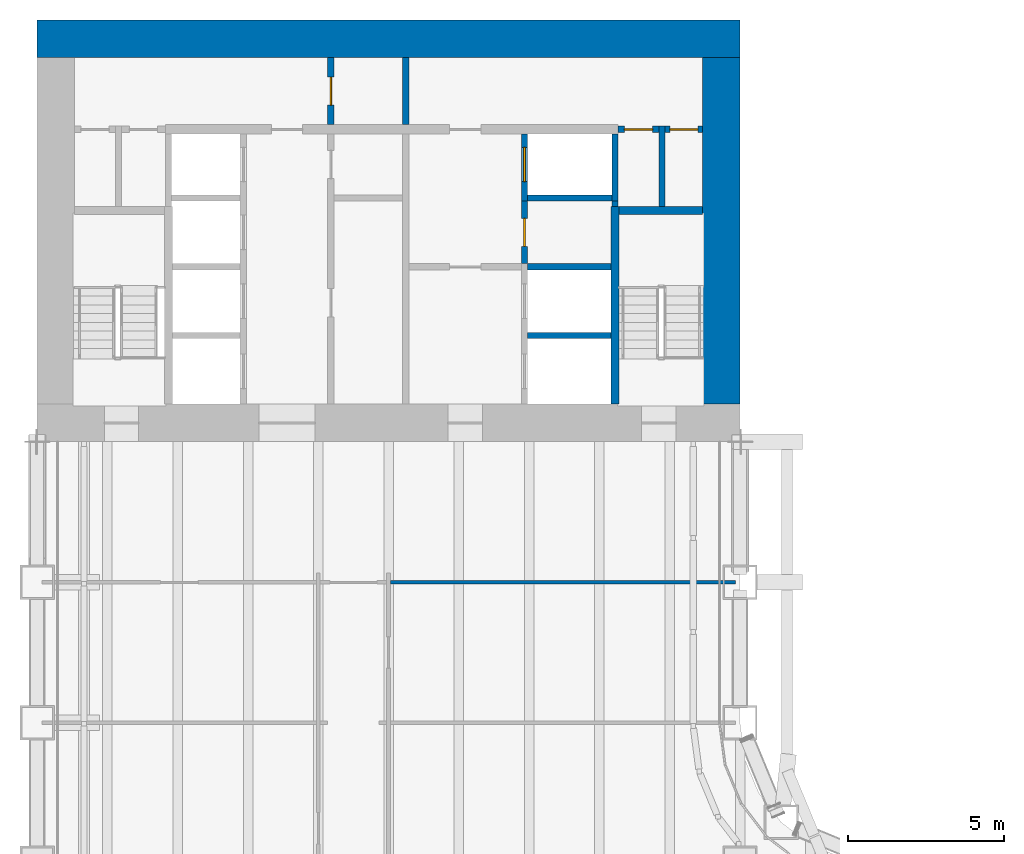
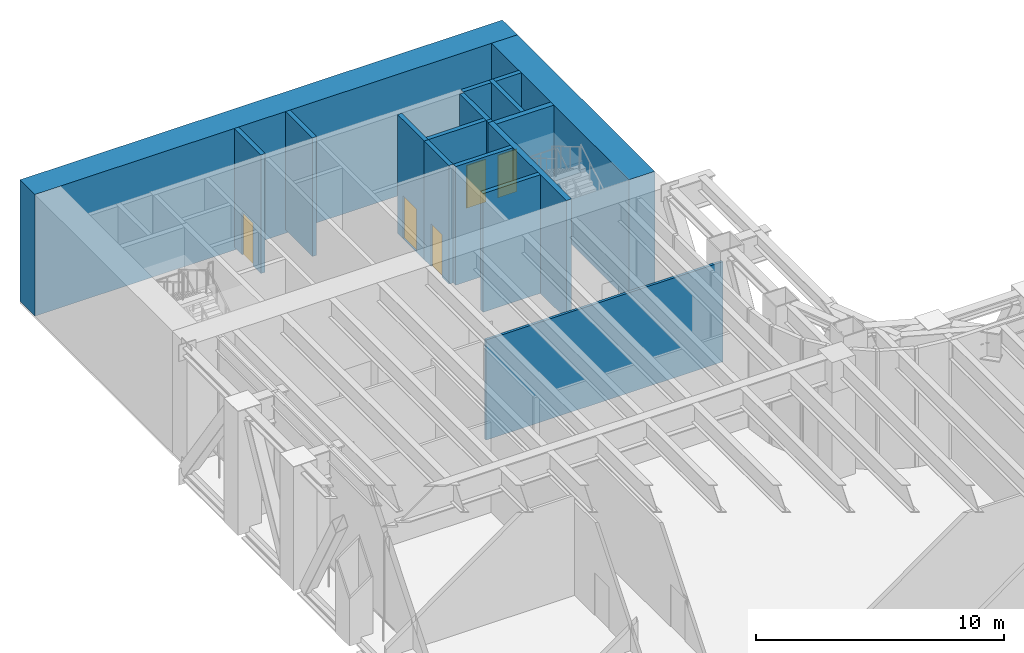
# One storey, part 11 of 19: 17 walls, 5 doors, 5 openings.
"""IFC4 building model written with IfcOpenShell, lengths in metres."""

from ifc_helpers import new_model, si_unit, direction, frame, frame_2d, origin, place, context, subcontext, project, spatial, rectangle, extrude, material, layer, layer_set, type_object, element, fill, save


model = new_model("IFC4")

# Units and contexts
model_context = context("Model", 3, precision=1e-05, world=origin(), true_north=direction((0.0, 1.0)))
body_context = subcontext(model_context, "Body", "Model", "MODEL_VIEW")
ifc_project = project(units=[si_unit("LENGTHUNIT", "METRE"), si_unit("AREAUNIT", "SQUARE_METRE"), si_unit("VOLUMEUNIT", "CUBIC_METRE"), si_unit("PLANEANGLEUNIT", "RADIAN"), si_unit("MASSUNIT", "GRAM", prefix="KILO")], contexts=[model_context])

# Site, building, storey
site_placement = place(None, origin())
site = spatial("IfcSite", under=ifc_project, at=site_placement, CompositionType="ELEMENT")
building_placement = place(site_placement, origin())
building = spatial("IfcBuilding", under=site, at=building_placement, Name="Sennacour Bend Tower", CompositionType="ELEMENT")
storey_placement = place(building_placement, frame((0.0, 0.0, 77.0)))
storey = spatial("IfcBuildingStorey", under=building, at=storey_placement, Name="L17", CompositionType="ELEMENT", Elevation=77.0)

# Walls
ifc_material_1 = material(Name="Concrete C80/95", Category="concrete")
ifc_layer_1 = layer(ifc_material_1, 1.199951171875, Name="Concrete C80/95", Category="concrete")
ifc_layer_set_1 = layer_set([ifc_layer_1], Name="Concrete C80/95")
wall_type_1 = type_object("IfcWallType", Name="Core wall 1200 C80/95", PredefinedType="SHEAR", material=ifc_layer_set_1)
wall_1_placement = place(storey_placement, frame((0.0, 48.89990234375, -0.14990234375), z_axis=(0.0, 0.0, 1.0), x_axis=(1.0, 0.0, 0.0)))
element("IfcWall", 1, at=wall_1_placement, inside=storey, type_object=wall_type_1, Name="Core B wall L17 N", PredefinedType="SHEAR", context=body_context, shape_type="SweptSolid", body=[
    extrude(rectangle(XDim=22.5, YDim=1.199951171875, at=frame_2d((11.25, 0.0))), origin(), (0.0, 0.0, 1.0), 6.0),
])
wall_2_placement = place(storey_placement, frame((21.89990234375, 37.199951171875, -0.14990234375), z_axis=(0.0, 0.0, 1.0), x_axis=(0.0, 1.0, 0.0)))
element("IfcWall", 2, at=wall_2_placement, inside=storey, type_object=wall_type_1, Name="Core B wall L17 E", PredefinedType="SHEAR", context=body_context, shape_type="SweptSolid", body=[
    extrude(rectangle(XDim=11.10009765625, YDim=1.199951171875, at=frame_2d((5.550048828125, 0.0))), origin(), (0.0, 0.0, 1.0), 6.0),
])
ifc_material_2 = material(Name="Plasterboard partition on steel studs", Category="steel")
ifc_layer_2 = layer(ifc_material_2, 0.1201171875, Name="Plasterboard partition on steel studs", Category="steel")
ifc_layer_set_2 = layer_set([ifc_layer_2], Name="Plasterboard partition on steel studs")
wall_type_2 = type_object("IfcWallType", Name="Partition 120", PredefinedType="PARTITIONING", material=ifc_layer_set_2)
wall_3_placement = place(storey_placement, frame((11.31005859375, 31.5, 0.0), z_axis=(0.0, 0.0, 1.0), x_axis=(1.0, 0.0, 0.0)))
element("IfcWall", 3, at=wall_3_placement, inside=storey, type_object=wall_type_2, Name="P-L17-W068ac", PredefinedType="PARTITIONING", context=body_context, shape_type="SweptSolid", body=[
    extrude(rectangle(XDim=11.0400390625, YDim=0.1201171875, at=frame_2d((5.52001953125, 0.0))), origin(), (0.0, 0.0, 1.0), 4.93798828125),
])

# Wall, opening, door
ifc_material_3 = material(Name="Fire-rated plasterboard partition on steel studs", Category="steel")
ifc_layer_3 = layer(ifc_material_3, 0.199951171875, Name="Fire-rated plasterboard partition on steel studs", Category="steel")
ifc_layer_set_3 = layer_set([ifc_layer_3], Name="Fire-rated plasterboard partition on steel studs")
wall_type_3 = type_object("IfcWallType", Name="Rated partition 200", PredefinedType="PARTITIONING", material=ifc_layer_set_3)
wall_4_placement = place(storey_placement, frame((9.39990234375, 46.14990234375, 0.0), z_axis=(0.0, 0.0, 1.0), x_axis=(0.0, 1.0, 0.0)))
wall_4 = element("IfcWall", 4, at=wall_4_placement, inside=storey, type_object=wall_type_3, Name="P-L17-W011b", PredefinedType="PARTITIONING", context=body_context, shape_type="SweptSolid", body=[
    extrude(rectangle(XDim=2.150146484375, YDim=0.199951171875, at=frame_2d((1.0751953125, 0.0))), origin(), (0.0, 0.0, 1.0), 5.85009765625),
])
opening_1_placement = place(wall_4_placement, frame((0.625, 0.0, 0.0)))
opening_1 = element("IfcOpeningElement", 5, at=opening_1_placement, cuts=wall_4, Name="Opening SV", PredefinedType="OPENING", context=body_context, shape_type="SweptSolid", body=[
    extrude(rectangle(XDim=0.89990234375, YDim=2.10009765625, at=frame_2d((0.449951171875, 1.050048828125))), frame((0.0, 0.10986328125, 0.0), z_axis=(0.0, -1.0, 0.0), x_axis=(1.0, 0.0, 0.0)), (0.0, 0.0, 1.0), 0.219970703125),
])
ifc_material_4 = material(Name="Painted steel", Category="steel")
door_type_1 = type_object("IfcDoorType", Name="DR-SERVICE-900", OperationType="NOTDEFINED", PredefinedType="DOOR", material=ifc_material_4)
door_1_placement = place(opening_1_placement, origin())
door_1 = element("IfcDoor", 6, at=door_1_placement, inside=storey, type_object=door_type_1, Name="Door", OperationType="SINGLE_SWING_LEFT", OverallHeight=2.10009765625, OverallWidth=0.89990234375, PredefinedType="DOOR", context=body_context, shape_type="SweptSolid", body=[
    extrude(rectangle(XDim=0.89990234375, YDim=2.10009765625, at=frame_2d((0.449951171875, 1.050048828125))), frame((0.0, 0.02490234375, 0.0), z_axis=(0.0, -1.0, 0.0), x_axis=(1.0, 0.0, 0.0)), (0.0, 0.0, 1.0), 0.050048828125),
])
fill(opening_1, door_1)

# Wall
wall_5_placement = place(storey_placement, frame((11.800048828125, 46.14990234375, 0.0), z_axis=(0.0, 0.0, 1.0), x_axis=(0.0, 1.0, 0.0)))
element("IfcWall", 7, at=wall_5_placement, inside=storey, type_object=wall_type_3, Name="P-L17-W013b", PredefinedType="PARTITIONING", context=body_context, shape_type="SweptSolid", body=[
    extrude(rectangle(XDim=2.150146484375, YDim=0.199951171875, at=frame_2d((1.0751953125, 0.0))), origin(), (0.0, 0.0, 1.0), 5.85009765625),
])

# Wall, opening, door
wall_6_placement = place(storey_placement, frame((15.60009765625, 41.699951171875, 0.0), z_axis=(0.0, 0.0, 1.0), x_axis=(0.0, 1.0, 0.0)))
wall_6 = element("IfcWall", 8, at=wall_6_placement, inside=storey, type_object=wall_type_3, Name="P-L17-W015", PredefinedType="PARTITIONING", context=body_context, shape_type="SweptSolid", body=[
    extrude(rectangle(XDim=2.0, YDim=0.199951171875, at=frame_2d((1.0, 0.0))), origin(), (0.0, 0.0, 1.0), 5.85009765625),
])
opening_2_placement = place(wall_6_placement, frame((0.550048828125, 0.0, 0.0)))
opening_2 = element("IfcOpeningElement", 9, at=opening_2_placement, cuts=wall_6, Name="Opening SV", PredefinedType="OPENING", context=body_context, shape_type="SweptSolid", body=[
    extrude(rectangle(XDim=0.89990234375, YDim=2.10009765625, at=frame_2d((0.449951171875, 1.050048828125))), frame((0.0, 0.10986328125, 0.0), z_axis=(0.0, -1.0, 0.0), x_axis=(1.0, 0.0, 0.0)), (0.0, 0.0, 1.0), 0.219970703125),
])
door_2_placement = place(opening_2_placement, origin())
door_2 = element("IfcDoor", 10, at=door_2_placement, inside=storey, type_object=door_type_1, Name="Door", OperationType="SINGLE_SWING_RIGHT", OverallHeight=2.10009765625, OverallWidth=0.89990234375, PredefinedType="DOOR", context=body_context, shape_type="SweptSolid", body=[
    extrude(rectangle(XDim=0.89990234375, YDim=2.10009765625, at=frame_2d((0.449951171875, 1.050048828125))), frame((0.0, 0.02490234375, 0.0), z_axis=(0.0, -1.0, 0.0), x_axis=(1.0, 0.0, 0.0)), (0.0, 0.0, 1.0), 0.050048828125),
])
fill(opening_2, door_2)

# Walls
wall_7_placement = place(storey_placement, frame((18.5, 43.52490234375, 0.0), z_axis=(0.0, 0.0, 1.0), x_axis=(0.0, 1.0, 0.0)))
element("IfcWall", 11, at=wall_7_placement, inside=storey, type_object=wall_type_3, Name="P-L17-W018", PredefinedType="PARTITIONING", context=body_context, shape_type="SweptSolid", body=[
    extrude(rectangle(XDim=0.175048828125, YDim=0.199951171875, at=frame_2d((0.08740234375, 0.0))), origin(), (0.0, 0.0, 1.0), 5.85009765625),
])
wall_8_placement = place(storey_placement, frame((20.0, 43.52490234375, 0.0), z_axis=(0.0, 0.0, 1.0), x_axis=(0.0, 1.0, 0.0)))
element("IfcWall", 12, at=wall_8_placement, inside=storey, type_object=wall_type_3, Name="P-L17-W020", PredefinedType="PARTITIONING", context=body_context, shape_type="SweptSolid", body=[
    extrude(rectangle(XDim=2.5751953125, YDim=0.199951171875, at=frame_2d((1.28759765625, 0.0))), origin(), (0.0, 0.0, 1.0), 5.85009765625),
])

# Wall, opening, door
wall_9_placement = place(storey_placement, frame((18.60009765625, 46.0, 0.0), z_axis=(0.0, 0.0, 1.0), x_axis=(1.0, 0.0, 0.0)))
wall_9 = element("IfcWall", 13, at=wall_9_placement, inside=storey, type_object=wall_type_3, Name="P-L17-W081a", PredefinedType="PARTITIONING", context=body_context, shape_type="SweptSolid", body=[
    extrude(rectangle(XDim=1.2998046875, YDim=0.199951171875, at=frame_2d((0.64990234375, 0.0))), origin(), (0.0, 0.0, 1.0), 5.85009765625),
])
opening_3_placement = place(wall_9_placement, frame((0.199951171875, 0.0, 0.0)))
opening_3 = element("IfcOpeningElement", 14, at=opening_3_placement, cuts=wall_9, Name="Opening SV", PredefinedType="OPENING", context=body_context, shape_type="SweptSolid", body=[
    extrude(rectangle(XDim=0.89990234375, YDim=2.10009765625, at=frame_2d((0.449951171875, 1.050048828125))), frame((0.0, 0.10986328125, 0.0), z_axis=(0.0, -1.0, 0.0), x_axis=(1.0, 0.0, 0.0)), (0.0, 0.0, 1.0), 0.219970703125),
])
door_3_placement = place(opening_3_placement, origin())
door_3 = element("IfcDoor", 15, at=door_3_placement, inside=storey, type_object=door_type_1, Name="Door", OperationType="SINGLE_SWING_LEFT", OverallHeight=2.10009765625, OverallWidth=0.89990234375, PredefinedType="DOOR", context=body_context, shape_type="SweptSolid", body=[
    extrude(rectangle(XDim=0.89990234375, YDim=2.10009765625, at=frame_2d((0.449951171875, 1.050048828125))), frame((0.0, 0.02490234375, 0.0), z_axis=(0.0, -1.0, 0.0), x_axis=(1.0, 0.0, 0.0)), (0.0, 0.0, 1.0), 0.050048828125),
])
fill(opening_3, door_3)

wall_10_placement = place(storey_placement, frame((20.10009765625, 46.0, 0.0), z_axis=(0.0, 0.0, 1.0), x_axis=(1.0, 0.0, 0.0)))
wall_10 = element("IfcWall", 16, at=wall_10_placement, inside=storey, type_object=wall_type_3, Name="P-L17-W081b", PredefinedType="PARTITIONING", context=body_context, shape_type="SweptSolid", body=[
    extrude(rectangle(XDim=1.199951171875, YDim=0.199951171875, at=frame_2d((0.60009765625, 0.0))), origin(), (0.0, 0.0, 1.0), 5.85009765625),
])
opening_4_placement = place(wall_10_placement, frame((0.14990234375, 0.0, 0.0)))
opening_4 = element("IfcOpeningElement", 17, at=opening_4_placement, cuts=wall_10, Name="Opening SV", PredefinedType="OPENING", context=body_context, shape_type="SweptSolid", body=[
    extrude(rectangle(XDim=0.89990234375, YDim=2.10009765625, at=frame_2d((0.449951171875, 1.050048828125))), frame((0.0, 0.10986328125, 0.0), z_axis=(0.0, -1.0, 0.0), x_axis=(1.0, 0.0, 0.0)), (0.0, 0.0, 1.0), 0.219970703125),
])
door_4_placement = place(opening_4_placement, origin())
door_4 = element("IfcDoor", 18, at=door_4_placement, inside=storey, type_object=door_type_1, Name="Door", OperationType="SINGLE_SWING_LEFT", OverallHeight=2.10009765625, OverallWidth=0.89990234375, PredefinedType="DOOR", context=body_context, shape_type="SweptSolid", body=[
    extrude(rectangle(XDim=0.89990234375, YDim=2.10009765625, at=frame_2d((0.449951171875, 1.050048828125))), frame((0.0, 0.02490234375, 0.0), z_axis=(0.0, -1.0, 0.0), x_axis=(1.0, 0.0, 0.0)), (0.0, 0.0, 1.0), 0.050048828125),
])
fill(opening_4, door_4)

ifc_material_5 = material(Name="Concrete C50/60", Category="concrete")
ifc_layer_4 = layer(ifc_material_5, 0.199951171875, Name="Concrete C50/60", Category="concrete")
ifc_layer_set_4 = layer_set([ifc_layer_4], Name="Concrete C50/60")
wall_type_4 = type_object("IfcWallType", Name="Shaft wall 200", PredefinedType="SOLIDWALL", material=ifc_layer_set_4)
wall_11_placement = place(storey_placement, frame((15.60009765625, 43.699951171875, 0.0), z_axis=(0.0, 0.0, 1.0), x_axis=(0.0, 1.0, 0.0)))
wall_11 = element("IfcWall", 19, at=wall_11_placement, inside=storey, type_object=wall_type_4, Name="P-L17-W016", PredefinedType="SOLIDWALL", context=body_context, shape_type="SweptSolid", body=[
    extrude(rectangle(XDim=2.150146484375, YDim=0.199951171875, at=frame_2d((1.0751953125, 0.0))), origin(), (0.0, 0.0, 1.0), 5.85009765625),
])
opening_5_placement = place(wall_11_placement, frame((0.625, 0.0, 0.011962890625)))
opening_5 = element("IfcOpeningElement", 20, at=opening_5_placement, cuts=wall_11, Name="Opening LD", PredefinedType="OPENING", context=body_context, shape_type="SweptSolid", body=[
    extrude(rectangle(XDim=1.10009765625, YDim=2.10009765625, at=frame_2d((0.550048828125, 1.050048828125))), frame((0.0, 0.10986328125, 0.0), z_axis=(0.0, -1.0, 0.0), x_axis=(1.0, 0.0, 0.0)), (0.0, 0.0, 1.0), 0.219970703125),
])
ifc_material_6 = material(Name="Stainless steel", Category="steel")
door_type_2 = type_object("IfcDoorType", Name="DR-LANDING-1100", OperationType="NOTDEFINED", PredefinedType="DOOR", material=ifc_material_6)
door_5_placement = place(opening_5_placement, origin())
door_5 = element("IfcDoor", 21, at=door_5_placement, inside=storey, type_object=door_type_2, Name="Lift landing door LB5", OperationType="SLIDING_TO_LEFT", OverallHeight=2.10009765625, OverallWidth=1.10009765625, PredefinedType="DOOR", context=body_context, shape_type="SweptSolid", body=[
    extrude(rectangle(XDim=1.10009765625, YDim=2.10009765625, at=frame_2d((0.550048828125, 1.050048828125))), frame((0.0, 0.02490234375, 0.0), z_axis=(0.0, -1.0, 0.0), x_axis=(1.0, 0.0, 0.0)), (0.0, 0.0, 1.0), 0.050048828125),
])
fill(opening_5, door_5)

# Walls
wall_12_placement = place(storey_placement, frame((18.5, 43.699951171875, 0.0), z_axis=(0.0, 0.0, 1.0), x_axis=(0.0, 1.0, 0.0)))
element("IfcWall", 22, at=wall_12_placement, inside=storey, type_object=wall_type_4, Name="P-L17-W019", PredefinedType="SOLIDWALL", context=body_context, shape_type="SweptSolid", body=[
    extrude(rectangle(XDim=2.150146484375, YDim=0.199951171875, at=frame_2d((1.0751953125, 0.0))), origin(), (0.0, 0.0, 1.0), 5.85009765625),
])
for number, where, z_axis, x_axis, name in (
    (23, (15.699951171875, 39.39990234375, 0.0), (0.0, 0.0, 1.0), (1.0, 0.0, 0.0), "P-L17-W070"),
    (24, (15.699951171875, 41.60009765625, 0.0), (0.0, 0.0, 1.0), (1.0, 0.0, 0.0), "P-L17-W073"),
):
    element("IfcWall", number, at=place(storey_placement, frame(where, z_axis=z_axis, x_axis=x_axis)), inside=storey, type_object=wall_type_4, Name=name, PredefinedType="SOLIDWALL", context=body_context, shape_type="SweptSolid", body=[
        extrude(rectangle(XDim=2.675048828125, YDim=0.199951171875, at=frame_2d((1.33740234375, 0.0))), origin(), (0.0, 0.0, 1.0), 5.85009765625),
    ])
wall_13_placement = place(storey_placement, frame((15.699951171875, 43.800048828125, 0.0), z_axis=(0.0, 0.0, 1.0), x_axis=(1.0, 0.0, 0.0)))
element("IfcWall", 25, at=wall_13_placement, inside=storey, type_object=wall_type_4, Name="P-L17-W078", PredefinedType="SOLIDWALL", context=body_context, shape_type="SweptSolid", body=[
    extrude(rectangle(XDim=2.699951171875, YDim=0.199951171875, at=frame_2d((1.35009765625, 0.0))), origin(), (0.0, 0.0, 1.0), 5.85009765625),
])
ifc_material_7 = material(Name="Concrete C60/75", Category="concrete")
ifc_layer_5 = layer(ifc_material_7, 0.25, Name="Concrete C60/75", Category="concrete")
ifc_layer_set_5 = layer_set([ifc_layer_5], Name="Concrete C60/75")
wall_type_5 = type_object("IfcWallType", Name="Stair wall 250", PredefinedType="SHEAR", material=ifc_layer_set_5)
wall_14_placement = place(storey_placement, frame((18.5, 37.199951171875, 0.0), z_axis=(0.0, 0.0, 1.0), x_axis=(0.0, 1.0, 0.0)))
element("IfcWall", 26, at=wall_14_placement, inside=storey, type_object=wall_type_5, Name="P-L17-W017", PredefinedType="SHEAR", context=body_context, shape_type="SweptSolid", body=[
    extrude(rectangle(XDim=6.324951171875, YDim=0.25, at=frame_2d((3.16259765625, 0.0))), origin(), (0.0, 0.0, 1.0), 5.85009765625),
])
wall_15_placement = place(storey_placement, frame((18.625, 43.39990234375, 0.0), z_axis=(0.0, 0.0, 1.0), x_axis=(1.0, 0.0, 0.0)))
element("IfcWall", 27, at=wall_15_placement, inside=storey, type_object=wall_type_5, Name="P-L17-W075", PredefinedType="SHEAR", context=body_context, shape_type="SweptSolid", body=[
    extrude(rectangle(XDim=2.675048828125, YDim=0.25, at=frame_2d((1.33740234375, 0.0))), origin(), (0.0, 0.0, 1.0), 5.85009765625),
])

save(model, "model.ifc")
